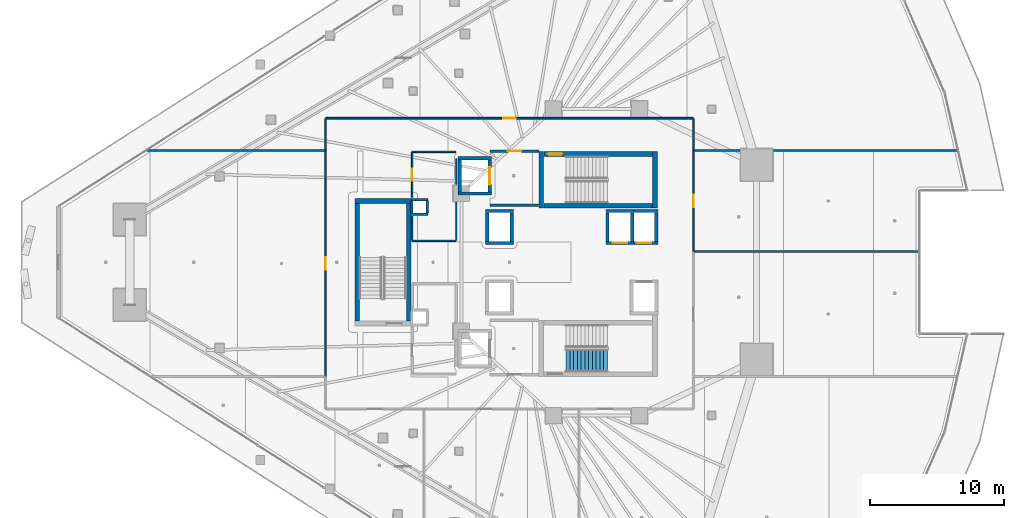
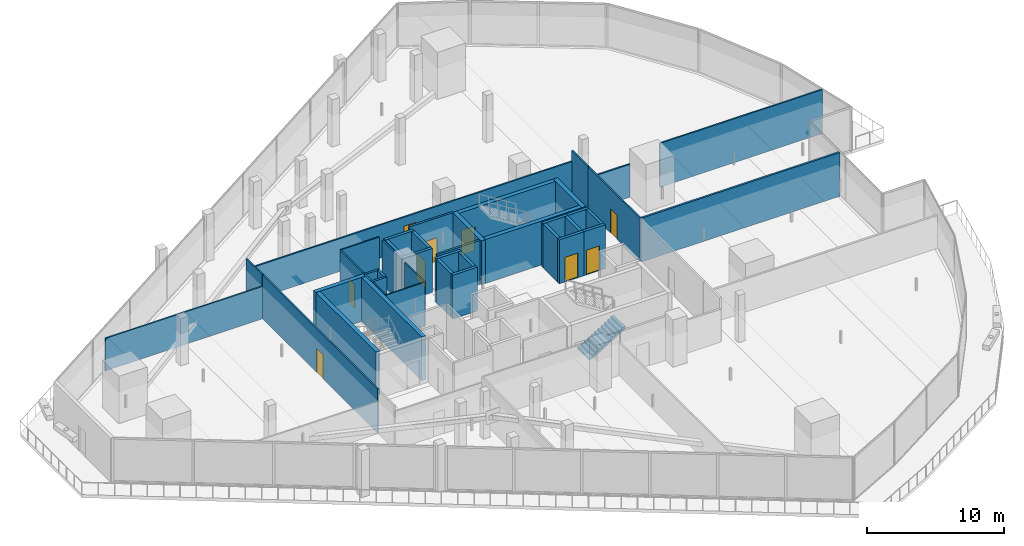
# One storey, part 31 of 45: 43 walls, 9 doors, 1 stair flight, 9 openings, 1 element without a shape of its own.
"""IFC4 building model written with IfcOpenShell, lengths in metres."""

from ifc_helpers import new_model, si_unit, direction, frame, frame_2d, origin, place, context, subcontext, project, spatial, polyline, rectangle, outline, extrude, material, layer, layer_set, type_object, element, fill, aggregate, save


model = new_model("IFC4")

# Units and contexts
model_context = context("Model", 3, precision=1e-05, world=origin(), true_north=direction((0.0, 1.0)))
body_context = subcontext(model_context, "Body", "Model", "MODEL_VIEW")
ifc_project = project(units=[si_unit("LENGTHUNIT", "METRE"), si_unit("AREAUNIT", "SQUARE_METRE"), si_unit("VOLUMEUNIT", "CUBIC_METRE"), si_unit("PLANEANGLEUNIT", "RADIAN"), si_unit("MASSUNIT", "GRAM", prefix="KILO")], contexts=[model_context])

# Site, building, storey
site_placement = place(None, origin())
site = spatial("IfcSite", under=ifc_project, at=site_placement, CompositionType="ELEMENT")
building_placement = place(site_placement, origin())
building = spatial("IfcBuilding", under=site, at=building_placement, Name="Qorvath Tower", CompositionType="ELEMENT")
storey_placement = place(building_placement, frame((0.0, 0.0, 49.199951171875)))
storey = spatial("IfcBuildingStorey", under=building, at=storey_placement, Name="L10", CompositionType="ELEMENT", Elevation=49.199951171875)

# Walls
ifc_material_1 = material(Name="Gypsum shaftliner on steel studs", Category="steel")
ifc_layer_1 = layer(ifc_material_1, 0.179931640625)
ifc_layer_set_1 = layer_set([ifc_layer_1], Name="FW-LOBBY")
wall_type_1 = type_object("IfcWallType", Name="FW-LOBBY", PredefinedType="PARTITIONING", material=ifc_layer_set_1)
for number, where, z_axis, x_axis, name in (
    (1, (-32.989990234375, 3.594970703125, 0.0), (0.0, 0.0, 1.0), (-1.0, 0.0, 0.0), "MEP Riser Shaft Enclosure Wall N-L10-S"),
    (2, (-34.260009765625, 4.675048828125, 0.0), (0.0, 0.0, 1.0), (1.0, 0.0, 0.0), "MEP Riser Shaft Enclosure Wall N-L10-N"),
):
    element("IfcWall", number, at=place(storey_placement, frame(where, z_axis=z_axis, x_axis=x_axis)), inside=storey, type_object=wall_type_1, Name=name, PredefinedType="PARTITIONING", context=body_context, shape_type="SweptSolid", body=[
        extrude(rectangle(XDim=1.27001953125, YDim=0.179931640625, at=frame_2d((0.635009765625, 0.0))), origin(), (0.0, 0.0, 1.0), 3.920166015625),
    ])
for number, where, z_axis, x_axis, name in (
    (3, (-34.205078125, 3.659912109375, 0.0), (0.0, 0.0, 1.0), (0.0, 1.0, 0.0), "MEP Riser Shaft Enclosure Wall N-L10-W"),
    (4, (-33.044921875, 4.610107421875, 0.0), (0.0, 0.0, 1.0), (0.0, -1.0, 0.0), "MEP Riser Shaft Enclosure Wall N-L10-E"),
):
    element("IfcWall", number, at=place(storey_placement, frame(where, z_axis=z_axis, x_axis=x_axis)), inside=storey, type_object=wall_type_1, Name=name, PredefinedType="PARTITIONING", context=body_context, shape_type="SweptSolid", body=[
        extrude(rectangle(XDim=0.9501953125, YDim=0.179931640625, at=frame_2d((0.47509765625, 0.0))), origin(), (0.0, 0.0, 1.0), 3.920166015625),
    ])
wall_1_placement = place(storey_placement, frame((-28.35498046875, 4.25, 0.0), z_axis=(0.0, 0.0, 1.0), x_axis=(1.0, 0.0, 0.0)))
element("IfcWall", 5, at=wall_1_placement, inside=storey, type_object=wall_type_1, Name="Interior Partition IW-T1-L10-001", PredefinedType="PARTITIONING", context=body_context, shape_type="SweptSolid", body=[
    extrude(rectangle(XDim=3.6220703125, YDim=0.179931640625, at=frame_2d((1.81103515625, 0.0))), origin(), (0.0, 0.0, 1.0), 3.920166015625),
])

# Wall, opening, door
wall_2_placement = place(storey_placement, frame((-24.68408203125, 8.300048828125, 0.0), z_axis=(0.0, 0.0, 1.0), x_axis=(-1.0, 0.0, 0.0)))
wall_2 = element("IfcWall", 6, at=wall_2_placement, inside=storey, type_object=wall_type_1, Name="Interior Partition IW-T1-L10-002", PredefinedType="PARTITIONING", context=body_context, shape_type="SweptSolid", body=[
    extrude(rectangle(XDim=3.6708984375, YDim=0.179931640625, at=frame_2d((1.83544921875, 0.0))), origin(), (0.0, 0.0, 1.0), 3.920166015625),
])
opening_1_placement = place(wall_2_placement, frame((1.33544921875, 0.0, 0.0)))
opening_1 = element("IfcOpeningElement", 7, at=opening_1_placement, cuts=wall_2, Name="Opening D-T1-L10-10", PredefinedType="OPENING", context=body_context, shape_type="SweptSolid", body=[
    extrude(rectangle(XDim=1.0, YDim=2.14990234375, at=frame_2d((0.5, 1.074951171875))), frame((0.0, 0.10009765625, 0.0), z_axis=(0.0, -1.0, 0.0), x_axis=(1.0, 0.0, 0.0)), (0.0, 0.0, 1.0), 0.199951171875),
])
ifc_material_2 = material(Name="Painted galvanised hollow metal", Category="steel")
door_type_1 = type_object("IfcDoorType", Name="FD-60", OperationType="NOTDEFINED", PredefinedType="DOOR", material=ifc_material_2)
door_1_placement = place(opening_1_placement, origin())
door_1 = element("IfcDoor", 8, at=door_1_placement, inside=storey, type_object=door_type_1, Name="Lobby Fire Service Elevator North Door D-T1-L10-10", OperationType="SINGLE_SWING_LEFT", OverallHeight=2.14990234375, OverallWidth=1.0, PredefinedType="DOOR", context=body_context, shape_type="SweptSolid", body=[
    extrude(rectangle(XDim=1.0, YDim=2.14990234375, at=frame_2d((0.5, 1.074951171875))), frame((0.0, 0.02490234375, 0.0), z_axis=(0.0, -1.0, 0.0), x_axis=(1.0, 0.0, 0.0)), (0.0, 0.0, 1.0), 0.050048828125),
])
fill(opening_1, door_1)

# Walls
ifc_material_3 = material(Name="Double acoustic gypsum board on steel studs", Category="steel")
ifc_layer_2 = layer(ifc_material_3, 0.159912109375)
ifc_layer_set_2 = layer_set([ifc_layer_2], Name="IW-ACOUSTIC-160")
wall_type_2 = type_object("IfcWallType", Name="IW-ACOUSTIC-160", PredefinedType="PARTITIONING", material=ifc_layer_set_2)
wall_3_placement = place(storey_placement, frame((3.6630859375, 0.791259765625, 0.0), z_axis=(0.0, 0.0, 1.0), x_axis=(-1.0, 0.0, 0.0)))
element("IfcWall", 9, at=wall_3_placement, inside=storey, type_object=wall_type_2, Name="Interior Partition IW-T1-L10-034", PredefinedType="PARTITIONING", context=body_context, shape_type="SweptSolid", body=[
    extrude(rectangle(XDim=16.7802734375, YDim=0.159912109375, at=frame_2d((8.39013671875, 0.0))), origin(), (0.0, 0.0, 1.0), 3.920166015625),
])
ifc_material_4 = material(Name="Gypsum board on metal studs with mineral wool", Category="gypsum")
ifc_layer_3 = layer(ifc_material_4, 0.125)
ifc_layer_set_3 = layer_set([ifc_layer_3], Name="IW-PART-125")
wall_type_3 = type_object("IfcWallType", Name="IW-PART-125", PredefinedType="PARTITIONING", material=ifc_layer_set_3)
wall_4_placement = place(storey_placement, frame((-53.989990234375, 8.35009765625, 0.0), z_axis=(0.0, 0.0, 1.0), x_axis=(1.0, 0.0, 0.0)))
element("IfcWall", 10, at=wall_4_placement, inside=storey, type_object=wall_type_3, Name="Interior Partition IW-T1-L10-017", PredefinedType="PARTITIONING", context=body_context, shape_type="SweptSolid", body=[
    extrude(rectangle(XDim=13.306884765625, YDim=0.125, at=frame_2d((6.6533203125, 0.0))), origin(), (0.0, 0.0, 1.0), 2.89013671875),
])
wall_5_placement = place(storey_placement, frame((-40.657958984375, 10.733154296875, 0.0), z_axis=(0.0, 0.0, 1.0), x_axis=(0.0, -1.0, 0.0)))
element("IfcWall", 11, at=wall_5_placement, inside=storey, type_object=wall_type_3, Name="Interior Partition IW-T1-L10-018", PredefinedType="PARTITIONING", context=body_context, shape_type="SweptSolid", body=[
    extrude(rectangle(XDim=2.358154296875, YDim=0.125, at=frame_2d((1.17919921875, 0.0))), origin(), (0.0, 0.0, 1.0), 3.920166015625),
])

# Wall, opening, door
wall_6_placement = place(storey_placement, frame((-40.633056640625, 10.758056640625, 0.0), z_axis=(0.0, 0.0, 1.0), x_axis=(1.0, 0.0, 0.0)))
wall_6 = element("IfcWall", 12, at=wall_6_placement, inside=storey, type_object=wall_type_3, Name="Interior Partition IW-T1-L10-019", PredefinedType="PARTITIONING", context=body_context, shape_type="SweptSolid", body=[
    extrude(rectangle(XDim=27.466064453125, YDim=0.125, at=frame_2d((13.73291015625, 0.0))), origin(), (0.0, 0.0, 1.0), 2.95703125),
])
opening_2_placement = place(wall_6_placement, frame((13.258056640625, 0.0, 0.0)))
opening_2 = element("IfcOpeningElement", 13, at=opening_2_placement, cuts=wall_6, Name="Opening D-T1-L10-03", PredefinedType="OPENING", context=body_context, shape_type="SweptSolid", body=[
    extrude(rectangle(XDim=0.949951171875, YDim=2.14990234375, at=frame_2d((0.47509765625, 1.074951171875))), frame((0.0, 0.072509765625, 0.0), z_axis=(0.0, -1.0, 0.0), x_axis=(1.0, 0.0, 0.0)), (0.0, 0.0, 1.0), 0.14501953125),
])
ifc_material_5 = material(Name="Solid-core American white oak veneer", Category="wood")
door_type_2 = type_object("IfcDoorType", Name="D-01", OperationType="NOTDEFINED", PredefinedType="DOOR", material=ifc_material_5)
door_2_placement = place(opening_2_placement, origin())
door_2 = element("IfcDoor", 14, at=door_2_placement, inside=storey, type_object=door_type_2, Name="L10-01 Open Workplace Studio Door D-T1-L10-03", OperationType="SINGLE_SWING_RIGHT", OverallHeight=2.14990234375, OverallWidth=0.949951171875, PredefinedType="DOOR", context=body_context, shape_type="SweptSolid", body=[
    extrude(rectangle(XDim=0.949951171875, YDim=2.14990234375, at=frame_2d((0.47509765625, 1.074951171875))), frame((0.0, 0.02490234375, 0.0), z_axis=(0.0, -1.0, 0.0), x_axis=(1.0, 0.0, 0.0)), (0.0, 0.0, 1.0), 0.050048828125),
])
fill(opening_2, door_2)

# Walls
wall_7_placement = place(storey_placement, frame((-13.14208984375, 8.375, 0.0), z_axis=(0.0, 0.0, 1.0), x_axis=(0.0, 1.0, 0.0)))
element("IfcWall", 15, at=wall_7_placement, inside=storey, type_object=wall_type_3, Name="Interior Partition IW-T1-L10-020", PredefinedType="PARTITIONING", context=body_context, shape_type="SweptSolid", body=[
    extrude(rectangle(XDim=2.358154296875, YDim=0.125, at=frame_2d((1.17919921875, 0.0))), origin(), (0.0, 0.0, 1.0), 3.920166015625),
])
wall_8_placement = place(storey_placement, frame((-13.1171875, 8.35009765625, 0.0), z_axis=(0.0, 0.0, 1.0), x_axis=(1.0, 0.0, 0.0)))
element("IfcWall", 16, at=wall_8_placement, inside=storey, type_object=wall_type_3, Name="Interior Partition IW-T1-L10-021", PredefinedType="PARTITIONING", context=body_context, shape_type="SweptSolid", body=[
    extrude(rectangle(XDim=3.421875, YDim=0.125, at=frame_2d((1.7109375, 0.0))), origin(), (0.0, 0.0, 1.0), 2.95703125),
])
wall_9_placement = place(storey_placement, frame((-7.165283203125, 8.35009765625, 0.0), z_axis=(0.0, 0.0, 1.0), x_axis=(1.0, 0.0, 0.0)))
element("IfcWall", 17, at=wall_9_placement, inside=storey, type_object=wall_type_3, Name="Interior Partition IW-T1-L10-022", PredefinedType="PARTITIONING", context=body_context, shape_type="SweptSolid", body=[
    extrude(rectangle(XDim=13.709716796875, YDim=0.125, at=frame_2d((6.85498046875, 0.0))), origin(), (0.0, 0.0, 1.0), 3.920166015625),
])

# Wall, opening, door
wall_10_placement = place(storey_placement, frame((-13.14208984375, 8.31689453125, 0.0), z_axis=(0.0, 0.0, 1.0), x_axis=(0.0, -1.0, 0.0)))
wall_10 = element("IfcWall", 18, at=wall_10_placement, inside=storey, type_object=wall_type_3, Name="Interior Partition IW-T1-L10-036", PredefinedType="PARTITIONING", context=body_context, shape_type="SweptSolid", body=[
    extrude(rectangle(XDim=7.49267578125, YDim=0.125, at=frame_2d((3.746337890625, 0.0))), origin(), (0.0, 0.0, 1.0), 3.920166015625),
])
opening_3_placement = place(wall_10_placement, frame((3.271240234375, 0.0, 0.0)))
opening_3 = element("IfcOpeningElement", 19, at=opening_3_placement, cuts=wall_10, Name="Opening D-T1-L10-08", PredefinedType="OPENING", context=body_context, shape_type="SweptSolid", body=[
    extrude(rectangle(XDim=0.949951171875, YDim=2.14990234375, at=frame_2d((0.47509765625, 1.074951171875))), frame((0.0, 0.072509765625, 0.0), z_axis=(0.0, -1.0, 0.0), x_axis=(1.0, 0.0, 0.0)), (0.0, 0.0, 1.0), 0.14501953125),
])
door_3_placement = place(opening_3_placement, origin())
door_3 = element("IfcDoor", 20, at=door_3_placement, inside=storey, type_object=door_type_2, Name="L10-06 Design Pin-Up Atelier Door D-T1-L10-08", OperationType="SINGLE_SWING_LEFT", OverallHeight=2.14990234375, OverallWidth=0.949951171875, PredefinedType="DOOR", context=body_context, shape_type="SweptSolid", body=[
    extrude(rectangle(XDim=0.949951171875, YDim=2.14990234375, at=frame_2d((0.47509765625, 1.074951171875))), frame((0.0, 0.02490234375, 0.0), z_axis=(0.0, -1.0, 0.0), x_axis=(1.0, 0.0, 0.0)), (0.0, 0.0, 1.0), 0.050048828125),
])
fill(opening_3, door_3)

wall_11_placement = place(storey_placement, frame((-40.657958984375, -8.51708984375, 0.0), z_axis=(0.0, 0.0, 1.0), x_axis=(0.0, 1.0, 0.0)))
wall_11 = element("IfcWall", 21, at=wall_11_placement, inside=storey, type_object=wall_type_3, Name="Interior Partition IW-T1-L10-037", PredefinedType="PARTITIONING", context=body_context, shape_type="SweptSolid", body=[
    extrude(rectangle(XDim=16.833984375, YDim=0.125, at=frame_2d((8.4169921875, 0.0))), origin(), (0.0, 0.0, 1.0), 3.920166015625),
])
opening_4_placement = place(wall_11_placement, frame((7.94189453125, 0.0, 0.0)))
opening_4 = element("IfcOpeningElement", 22, at=opening_4_placement, cuts=wall_11, Name="Opening D-T1-L10-09", PredefinedType="OPENING", context=body_context, shape_type="SweptSolid", body=[
    extrude(rectangle(XDim=0.949951171875, YDim=2.14990234375, at=frame_2d((0.47509765625, 1.074951171875))), frame((0.0, 0.072509765625, 0.0), z_axis=(0.0, -1.0, 0.0), x_axis=(1.0, 0.0, 0.0)), (0.0, 0.0, 1.0), 0.14501953125),
])
door_4_placement = place(opening_4_placement, origin())
door_4 = element("IfcDoor", 23, at=door_4_placement, inside=storey, type_object=door_type_2, Name="L10-07 Executive Partner Office Door D-T1-L10-09", OperationType="SINGLE_SWING_RIGHT", OverallHeight=2.14990234375, OverallWidth=0.949951171875, PredefinedType="DOOR", context=body_context, shape_type="SweptSolid", body=[
    extrude(rectangle(XDim=0.949951171875, YDim=2.14990234375, at=frame_2d((0.47509765625, 1.074951171875))), frame((0.0, 0.02490234375, 0.0), z_axis=(0.0, -1.0, 0.0), x_axis=(1.0, 0.0, 0.0)), (0.0, 0.0, 1.0), 0.050048828125),
])
fill(opening_4, door_4)

# Walls
ifc_material_6 = material(Name="Moisture-resistant cement board on metal studs", Category="gypsum")
ifc_layer_4 = layer(ifc_material_6, 0.110107421875)
ifc_layer_set_4 = layer_set([ifc_layer_4], Name="IW-WC-110")
wall_type_4 = type_object("IfcWallType", Name="IW-WC-110", PredefinedType="PARTITIONING", material=ifc_layer_set_4)
wall_12_placement = place(storey_placement, frame((-34.15478515625, 1.60009765625, 0.0), z_axis=(0.0, 0.0, 1.0), x_axis=(1.0, 0.0, 0.0)))
element("IfcWall", 24, at=wall_12_placement, inside=storey, type_object=wall_type_4, Name="Interior Partition IW-T1-L10-005", PredefinedType="PARTITIONING", context=body_context, shape_type="SweptSolid", body=[
    extrude(rectangle(XDim=3.25, YDim=0.110107421875, at=frame_2d((1.625, 0.0))), origin(), (0.0, 0.0, 1.0), 3.920166015625),
])
wall_13_placement = place(storey_placement, frame((-30.8798828125, 1.625, 0.0), z_axis=(0.0, 0.0, 1.0), x_axis=(0.0, 1.0, 0.0)))
element("IfcWall", 25, at=wall_13_placement, inside=storey, type_object=wall_type_4, Name="Interior Partition IW-T1-L10-006", PredefinedType="PARTITIONING", context=body_context, shape_type="SweptSolid", body=[
    extrude(rectangle(XDim=2.860107421875, YDim=0.110107421875, at=frame_2d((1.43017578125, 0.0))), origin(), (0.0, 0.0, 1.0), 3.920166015625),
])
wall_14_placement = place(storey_placement, frame((-30.8798828125, 5.81494140625, 0.0), z_axis=(0.0, 0.0, 1.0), x_axis=(0.0, 1.0, 0.0)))
element("IfcWall", 26, at=wall_14_placement, inside=storey, type_object=wall_type_4, Name="Interior Partition IW-T1-L10-007", PredefinedType="PARTITIONING", context=body_context, shape_type="SweptSolid", body=[
    extrude(rectangle(XDim=1.927978515625, YDim=0.110107421875, at=frame_2d((0.9638671875, 0.0))), origin(), (0.0, 0.0, 1.0), 3.920166015625),
])
wall_15_placement = place(storey_placement, frame((-30.90478515625, 8.25, 0.0), z_axis=(0.0, 0.0, 1.0), x_axis=(-1.0, 0.0, 0.0)))
element("IfcWall", 27, at=wall_15_placement, inside=storey, type_object=wall_type_4, Name="Interior Partition IW-T1-L10-008", PredefinedType="PARTITIONING", context=body_context, shape_type="SweptSolid", body=[
    extrude(rectangle(XDim=3.25, YDim=0.110107421875, at=frame_2d((1.625, 0.0))), origin(), (0.0, 0.0, 1.0), 3.920166015625),
])

# Wall, opening, door
wall_16_placement = place(storey_placement, frame((-34.179931640625, 8.22509765625, 0.0), z_axis=(0.0, 0.0, 1.0), x_axis=(0.0, -1.0, 0.0)))
wall_16 = element("IfcWall", 28, at=wall_16_placement, inside=storey, type_object=wall_type_4, Name="Interior Partition IW-T1-L10-009", PredefinedType="PARTITIONING", context=body_context, shape_type="SweptSolid", body=[
    extrude(rectangle(XDim=3.385009765625, YDim=0.110107421875, at=frame_2d((1.6923828125, 0.0))), origin(), (0.0, 0.0, 1.0), 3.920166015625),
])
opening_5_placement = place(wall_16_placement, frame((1.25244140625, 0.0, 0.0)))
opening_5 = element("IfcOpeningElement", 29, at=opening_5_placement, cuts=wall_16, Name="Opening D-T1-L10-01", PredefinedType="OPENING", context=body_context, shape_type="SweptSolid", body=[
    extrude(rectangle(XDim=0.8798828125, YDim=2.10009765625, at=frame_2d((0.43994140625, 1.050048828125))), frame((0.0, 0.06494140625, 0.0), z_axis=(0.0, -1.0, 0.0), x_axis=(1.0, 0.0, 0.0)), (0.0, 0.0, 1.0), 0.130126953125),
])
ifc_material_7 = material(Name="Solid-core oak with acoustic drop seal", Category="wood")
door_type_3 = type_object("IfcDoorType", Name="D-02", OperationType="NOTDEFINED", PredefinedType="DOOR", material=ifc_material_7)
door_5_placement = place(opening_5_placement, origin())
door_5 = element("IfcDoor", 30, at=door_5_placement, inside=storey, type_object=door_type_3, Name="Accessible WC North L10 Door D-T1-L10-01", OperationType="SINGLE_SWING_RIGHT", OverallHeight=2.10009765625, OverallWidth=0.8798828125, PredefinedType="DOOR", context=body_context, shape_type="SweptSolid", body=[
    extrude(rectangle(XDim=0.8798828125, YDim=2.10009765625, at=frame_2d((0.43994140625, 1.050048828125))), frame((0.0, 0.02490234375, 0.0), z_axis=(0.0, -1.0, 0.0), x_axis=(1.0, 0.0, 0.0)), (0.0, 0.0, 1.0), 0.050048828125),
])
fill(opening_5, door_5)

# Walls
wall_17_placement = place(storey_placement, frame((-34.179931640625, 3.429931640625, 0.0), z_axis=(0.0, 0.0, 1.0), x_axis=(0.0, -1.0, 0.0)))
element("IfcWall", 31, at=wall_17_placement, inside=storey, type_object=wall_type_4, Name="Interior Partition IW-T1-L10-010", PredefinedType="PARTITIONING", context=body_context, shape_type="SweptSolid", body=[
    extrude(rectangle(XDim=1.804931640625, YDim=0.110107421875, at=frame_2d((0.90234375, 0.0))), origin(), (0.0, 0.0, 1.0), 3.920166015625),
])
ifc_material_8 = material(Name="Concrete C60/75", Category="concrete")
ifc_layer_5 = layer(ifc_material_8, 0.260009765625)
ifc_layer_set_5 = layer_set([ifc_layer_5], Name="SW-SHAFT")
wall_type_5 = type_object("IfcWallType", Name="SW-SHAFT", PredefinedType="SHEAR", material=ifc_layer_set_5)
for number, where, z_axis, x_axis, name in (
    (32, (-28.260009765625, 5.1298828125, 0.0), (0.0, 0.0, 1.0), (-1.0, 0.0, 0.0), "Hoistway Wall FSAE-1 L10 S"),
    (33, (-30.739990234375, 7.77001953125, 0.0), (0.0, 0.0, 1.0), (1.0, 0.0, 0.0), "Hoistway Wall FSAE-1 L10 N"),
):
    element("IfcWall", number, at=place(storey_placement, frame(where, z_axis=z_axis, x_axis=x_axis)), inside=storey, type_object=wall_type_5, Name=name, PredefinedType="SHEAR", context=body_context, shape_type="SweptSolid", body=[
        extrude(rectangle(XDim=2.47998046875, YDim=0.239990234375, at=frame_2d((1.239990234375, 0.0))), origin(), (0.0, 0.0, 1.0), 3.920166015625),
    ])
wall_18_placement = place(storey_placement, frame((-30.6201171875, 5.261962890625, 0.0), z_axis=(0.0, 0.0, 1.0), x_axis=(0.0, 1.0, 0.0)))
element("IfcWall", 34, at=wall_18_placement, inside=storey, type_object=wall_type_5, Name="Hoistway Wall FSAE-1 L10 W", PredefinedType="SHEAR", context=body_context, shape_type="SweptSolid", body=[
    extrude(rectangle(XDim=2.3759765625, YDim=0.239990234375, at=frame_2d((1.18798828125, 0.0))), origin(), (0.0, 0.0, 1.0), 3.920166015625),
])

# Wall, opening, door
wall_19_placement = place(storey_placement, frame((-28.3798828125, 7.637939453125, 0.0), z_axis=(0.0, 0.0, 1.0), x_axis=(0.0, -1.0, 0.0)))
wall_19 = element("IfcWall", 35, at=wall_19_placement, inside=storey, type_object=wall_type_5, Name="Hoistway Wall FSAE-1 L10 E", PredefinedType="SHEAR", context=body_context, shape_type="SweptSolid", body=[
    extrude(rectangle(XDim=2.3759765625, YDim=0.239990234375, at=frame_2d((1.18798828125, 0.0))), origin(), (0.0, 0.0, 1.0), 3.920166015625),
])
opening_6_placement = place(wall_19_placement, frame((0.537841796875, 0.0, 0.0)))
opening_6 = element("IfcOpeningElement", 36, at=opening_6_placement, cuts=wall_19, Name="Opening LD-FSAE-1-L10", PredefinedType="OPENING", context=body_context, shape_type="SweptSolid", body=[
    extrude(rectangle(XDim=1.300048828125, YDim=2.300048828125, at=frame_2d((0.64990234375, 1.14990234375))), frame((0.0, 0.1298828125, 0.0), z_axis=(0.0, -1.0, 0.0), x_axis=(1.0, 0.0, 0.0)), (0.0, 0.0, 1.0), 0.260009765625),
])
ifc_material_9 = material(Name="Brushed stainless steel AISI 316", Category="steel")
door_type_4 = type_object("IfcDoorType", Name="LD-02", OperationType="NOTDEFINED", PredefinedType="DOOR", material=ifc_material_9)
door_6_placement = place(opening_6_placement, origin())
door_6 = element("IfcDoor", 37, at=door_6_placement, inside=storey, type_object=door_type_4, Name="Elevator Landing Sliding Door LD-FSAE-1-L10", OperationType="DOUBLE_DOOR_SLIDING", OverallHeight=2.300048828125, OverallWidth=1.300048828125, PredefinedType="DOOR", context=body_context, shape_type="SweptSolid", body=[
    extrude(rectangle(XDim=1.300048828125, YDim=2.300048828125, at=frame_2d((0.64990234375, 1.14990234375))), frame((0.0, 0.02490234375, 0.0), z_axis=(0.0, -1.0, 0.0), x_axis=(1.0, 0.0, 0.0)), (0.0, 0.0, 1.0), 0.050048828125),
])
fill(opening_6, door_6)

# Walls
for number, where, z_axis, x_axis, name in (
    (38, (-26.610107421875, 1.429931640625, 0.0), (0.0, 0.0, 1.0), (-1.0, 0.0, 0.0), "Hoistway Wall PS-1 L10 S"),
    (39, (-28.68994140625, 3.820068359375, 0.0), (0.0, 0.0, 1.0), (1.0, 0.0, 0.0), "Hoistway Wall PS-1 L10 N"),
):
    element("IfcWall", number, at=place(storey_placement, frame(where, z_axis=z_axis, x_axis=x_axis)), inside=storey, type_object=wall_type_5, Name=name, PredefinedType="SHEAR", context=body_context, shape_type="SweptSolid", body=[
        extrude(rectangle(XDim=2.079833984375, YDim=0.239990234375, at=frame_2d((1.0400390625, 0.0))), origin(), (0.0, 0.0, 1.0), 3.920166015625),
    ])
for number, where, z_axis, x_axis, name in (
    (40, (-28.570068359375, 1.56201171875, 0.0), (0.0, 0.0, 1.0), (0.0, 1.0, 0.0), "Hoistway Wall PS-1 L10 W"),
    (41, (-26.72998046875, 3.68798828125, 0.0), (0.0, 0.0, 1.0), (0.0, -1.0, 0.0), "Hoistway Wall PS-1 L10 E"),
):
    element("IfcWall", number, at=place(storey_placement, frame(where, z_axis=z_axis, x_axis=x_axis)), inside=storey, type_object=wall_type_5, Name=name, PredefinedType="SHEAR", context=body_context, shape_type="SweptSolid", body=[
        extrude(rectangle(XDim=2.1259765625, YDim=0.239990234375, at=frame_2d((1.06298828125, 0.0))), origin(), (0.0, 0.0, 1.0), 3.920166015625),
    ])

# Wall, opening, door
wall_20_placement = place(storey_placement, frame((-17.610107421875, 1.429931640625, 0.0), z_axis=(0.0, 0.0, 1.0), x_axis=(-1.0, 0.0, 0.0)))
wall_20 = element("IfcWall", 42, at=wall_20_placement, inside=storey, type_object=wall_type_5, Name="Hoistway Wall PL-1 L10 S", PredefinedType="SHEAR", context=body_context, shape_type="SweptSolid", body=[
    extrude(rectangle(XDim=2.079833984375, YDim=0.239990234375, at=frame_2d((1.0400390625, 0.0))), origin(), (0.0, 0.0, 1.0), 3.920166015625),
])
opening_7_placement = place(wall_20_placement, frame((0.48974609375, 0.0, 0.0)))
opening_7 = element("IfcOpeningElement", 43, at=opening_7_placement, cuts=wall_20, Name="Opening LD-PL-1-L10", PredefinedType="OPENING", context=body_context, shape_type="SweptSolid", body=[
    extrude(rectangle(XDim=1.10009765625, YDim=2.199951171875, at=frame_2d((0.550048828125, 1.10009765625))), frame((0.0, 0.1298828125, 0.0), z_axis=(0.0, -1.0, 0.0), x_axis=(1.0, 0.0, 0.0)), (0.0, 0.0, 1.0), 0.260009765625),
])
ifc_material_10 = material(Name="Brushed stainless steel AISI 316", Category="steel")
door_type_5 = type_object("IfcDoorType", Name="LD-01", OperationType="NOTDEFINED", PredefinedType="DOOR", material=ifc_material_10)
door_7_placement = place(opening_7_placement, origin())
door_7 = element("IfcDoor", 44, at=door_7_placement, inside=storey, type_object=door_type_5, Name="Elevator Landing Sliding Door LD-PL-1-L10", OperationType="DOUBLE_DOOR_SLIDING", OverallHeight=2.199951171875, OverallWidth=1.10009765625, PredefinedType="DOOR", context=body_context, shape_type="SweptSolid", body=[
    extrude(rectangle(XDim=1.10009765625, YDim=2.199951171875, at=frame_2d((0.550048828125, 1.10009765625))), frame((0.0, 0.02490234375, 0.0), z_axis=(0.0, -1.0, 0.0), x_axis=(1.0, 0.0, 0.0)), (0.0, 0.0, 1.0), 0.050048828125),
])
fill(opening_7, door_7)

# Walls
wall_21_placement = place(storey_placement, frame((-19.68994140625, 3.820068359375, 0.0), z_axis=(0.0, 0.0, 1.0), x_axis=(1.0, 0.0, 0.0)))
element("IfcWall", 45, at=wall_21_placement, inside=storey, type_object=wall_type_5, Name="Hoistway Wall PL-1 L10 N", PredefinedType="SHEAR", context=body_context, shape_type="SweptSolid", body=[
    extrude(rectangle(XDim=2.079833984375, YDim=0.239990234375, at=frame_2d((1.0400390625, 0.0))), origin(), (0.0, 0.0, 1.0), 3.920166015625),
])
for number, where, z_axis, x_axis, name in (
    (46, (-19.570068359375, 1.56201171875, 0.0), (0.0, 0.0, 1.0), (0.0, 1.0, 0.0), "Hoistway Wall PL-1 L10 W"),
    (47, (-17.72998046875, 3.68798828125, 0.0), (0.0, 0.0, 1.0), (0.0, -1.0, 0.0), "Hoistway Wall PL-1 L10 E"),
):
    element("IfcWall", number, at=place(storey_placement, frame(where, z_axis=z_axis, x_axis=x_axis)), inside=storey, type_object=wall_type_5, Name=name, PredefinedType="SHEAR", context=body_context, shape_type="SweptSolid", body=[
        extrude(rectangle(XDim=2.1259765625, YDim=0.239990234375, at=frame_2d((1.06298828125, 0.0))), origin(), (0.0, 0.0, 1.0), 3.920166015625),
    ])

# Wall, opening, door
wall_22_placement = place(storey_placement, frame((-15.81005859375, 1.429931640625, 0.0), z_axis=(0.0, 0.0, 1.0), x_axis=(-1.0, 0.0, 0.0)))
wall_22 = element("IfcWall", 48, at=wall_22_placement, inside=storey, type_object=wall_type_5, Name="Hoistway Wall PL-3 L10 S", PredefinedType="SHEAR", context=body_context, shape_type="SweptSolid", body=[
    extrude(rectangle(XDim=1.800048828125, YDim=0.239990234375, at=frame_2d((0.89990234375, 0.0))), origin(), (0.0, 0.0, 1.0), 3.920166015625),
])
opening_8_placement = place(wall_22_placement, frame((0.489990234375, 0.0, 0.0)))
opening_8 = element("IfcOpeningElement", 49, at=opening_8_placement, cuts=wall_22, Name="Opening LD-PL-3-L10", PredefinedType="OPENING", context=body_context, shape_type="SweptSolid", body=[
    extrude(rectangle(XDim=1.10009765625, YDim=2.199951171875, at=frame_2d((0.550048828125, 1.10009765625))), frame((0.0, 0.1298828125, 0.0), z_axis=(0.0, -1.0, 0.0), x_axis=(1.0, 0.0, 0.0)), (0.0, 0.0, 1.0), 0.260009765625),
])
door_8_placement = place(opening_8_placement, origin())
door_8 = element("IfcDoor", 50, at=door_8_placement, inside=storey, type_object=door_type_5, Name="Elevator Landing Sliding Door LD-PL-3-L10", OperationType="DOUBLE_DOOR_SLIDING", OverallHeight=2.199951171875, OverallWidth=1.10009765625, PredefinedType="DOOR", context=body_context, shape_type="SweptSolid", body=[
    extrude(rectangle(XDim=1.10009765625, YDim=2.199951171875, at=frame_2d((0.550048828125, 1.10009765625))), frame((0.0, 0.02490234375, 0.0), z_axis=(0.0, -1.0, 0.0), x_axis=(1.0, 0.0, 0.0)), (0.0, 0.0, 1.0), 0.050048828125),
])
fill(opening_8, door_8)

# Walls
wall_23_placement = place(storey_placement, frame((-17.610107421875, 3.820068359375, 0.0), z_axis=(0.0, 0.0, 1.0), x_axis=(1.0, 0.0, 0.0)))
element("IfcWall", 51, at=wall_23_placement, inside=storey, type_object=wall_type_5, Name="Hoistway Wall PL-3 L10 N", PredefinedType="SHEAR", context=body_context, shape_type="SweptSolid", body=[
    extrude(rectangle(XDim=1.800048828125, YDim=0.239990234375, at=frame_2d((0.89990234375, 0.0))), origin(), (0.0, 0.0, 1.0), 3.920166015625),
])
wall_24_placement = place(storey_placement, frame((-15.929931640625, 3.68798828125, 0.0), z_axis=(0.0, 0.0, 1.0), x_axis=(0.0, -1.0, 0.0)))
element("IfcWall", 52, at=wall_24_placement, inside=storey, type_object=wall_type_5, Name="Hoistway Wall PL-3 L10 E", PredefinedType="SHEAR", context=body_context, shape_type="SweptSolid", body=[
    extrude(rectangle(XDim=2.1259765625, YDim=0.239990234375, at=frame_2d((1.06298828125, 0.0))), origin(), (0.0, 0.0, 1.0), 3.920166015625),
])
ifc_material_11 = material(Name="Concrete C60/75", Category="concrete")
ifc_layer_6 = layer(ifc_material_11, 0.35009765625)
ifc_layer_set_6 = layer_set([ifc_layer_6], Name="SW-STAIR")
wall_type_6 = type_object("IfcWallType", Name="SW-STAIR", PredefinedType="SHEAR", material=ifc_layer_set_6)
for number, where, z_axis, x_axis, name in (
    (53, (-24.52490234375, 8.260009765625, 0.0), (0.0, 0.0, 1.0), (0.0, -1.0, 0.0), "Stair TS1 Shear Wall L10 NEAR"),
    (54, (-16.02490234375, 4.050048828125, 0.0), (0.0, 0.0, 1.0), (0.0, 1.0, 0.0), "Stair TS1 Shear Wall L10 FAR"),
):
    element("IfcWall", number, at=place(storey_placement, frame(where, z_axis=z_axis, x_axis=x_axis)), inside=storey, type_object=wall_type_6, Name=name, PredefinedType="SHEAR", context=body_context, shape_type="SweptSolid", body=[
        extrude(rectangle(XDim=4.2099609375, YDim=0.35009765625, at=frame_2d((2.10498046875, 0.0))), origin(), (0.0, 0.0, 1.0), 3.920166015625),
    ])
wall_25_placement = place(storey_placement, frame((-24.3349609375, 4.22509765625, 0.0), z_axis=(0.0, 0.0, 1.0), x_axis=(1.0, 0.0, 0.0)))
element("IfcWall", 55, at=wall_25_placement, inside=storey, type_object=wall_type_6, Name="Stair TS1 Shear Wall L10 LEFT", PredefinedType="SHEAR", context=body_context, shape_type="SweptSolid", body=[
    extrude(rectangle(XDim=8.119873046875, YDim=0.35009765625, at=frame_2d((4.06005859375, 0.0))), origin(), (0.0, 0.0, 1.0), 3.920166015625),
])

# Wall, opening, door
wall_26_placement = place(storey_placement, frame((-16.215087890625, 8.0849609375, 0.0), z_axis=(0.0, 0.0, 1.0), x_axis=(-1.0, 0.0, 0.0)))
wall_26 = element("IfcWall", 56, at=wall_26_placement, inside=storey, type_object=wall_type_6, Name="Stair TS1 Shear Wall L10 RIGHT", PredefinedType="SHEAR", context=body_context, shape_type="SweptSolid", body=[
    extrude(rectangle(XDim=8.119873046875, YDim=0.35009765625, at=frame_2d((4.06005859375, 0.0))), origin(), (0.0, 0.0, 1.0), 3.920166015625),
])
opening_9_placement = place(wall_26_placement, frame((6.739990234375, 0.0, 0.0)))
opening_9 = element("IfcOpeningElement", 57, at=opening_9_placement, cuts=wall_26, Name="Opening D-TS1-L10", PredefinedType="OPENING", context=body_context, shape_type="SweptSolid", body=[
    extrude(rectangle(XDim=1.10009765625, YDim=2.199951171875, at=frame_2d((0.550048828125, 1.10009765625))), frame((0.0, 0.18505859375, 0.0), z_axis=(0.0, -1.0, 0.0), x_axis=(1.0, 0.0, 0.0)), (0.0, 0.0, 1.0), 0.3701171875),
])
ifc_material_12 = material(Name="Painted galvanised hollow metal", Category="steel")
door_type_6 = type_object("IfcDoorType", Name="FD-90", OperationType="NOTDEFINED", PredefinedType="DOOR", material=ifc_material_12)
door_9_placement = place(opening_9_placement, origin())
door_9 = element("IfcDoor", 58, at=door_9_placement, inside=storey, type_object=door_type_6, Name="Stair TS1 Fire Door L10", OperationType="SINGLE_SWING_LEFT", OverallHeight=2.199951171875, OverallWidth=1.10009765625, PredefinedType="DOOR", context=body_context, shape_type="SweptSolid", body=[
    extrude(rectangle(XDim=1.10009765625, YDim=2.199951171875, at=frame_2d((0.550048828125, 1.10009765625))), frame((0.0, 0.02490234375, 0.0), z_axis=(0.0, -1.0, 0.0), x_axis=(1.0, 0.0, 0.0)), (0.0, 0.0, 1.0), 0.050048828125),
])
fill(opening_9, door_9)

# Walls
wall_27_placement = place(storey_placement, frame((-34.25, 4.574951171875, 0.0), z_axis=(0.0, 0.0, 1.0), x_axis=(-1.0, 0.0, 0.0)))
element("IfcWall", 59, at=wall_27_placement, inside=storey, type_object=wall_type_6, Name="Stair TS3 Shear Wall L10 FAR", PredefinedType="SHEAR", context=body_context, shape_type="SweptSolid", body=[
    extrude(rectangle(XDim=4.2099609375, YDim=0.35009765625, at=frame_2d((2.10498046875, 0.0))), origin(), (0.0, 0.0, 1.0), 3.920166015625),
])
for number, where, z_axis, x_axis, name in (
    (60, (-34.425048828125, -4.385009765625, 0.0), (0.0, 0.0, 1.0), (0.0, 1.0, 0.0), "Stair TS3 Shear Wall L10 LEFT"),
    (61, (-38.284912109375, 4.385009765625, 0.0), (0.0, 0.0, 1.0), (0.0, -1.0, 0.0), "Stair TS3 Shear Wall L10 RIGHT"),
):
    element("IfcWall", number, at=place(storey_placement, frame(where, z_axis=z_axis, x_axis=x_axis)), inside=storey, type_object=wall_type_6, Name=name, PredefinedType="SHEAR", context=body_context, shape_type="SweptSolid", body=[
        extrude(rectangle(XDim=8.77001953125, YDim=0.35009765625, at=frame_2d((4.385009765625, 0.0))), origin(), (0.0, 0.0, 1.0), 3.920166015625),
    ])

# Stair, stair flight
ifc_material_13 = material(Name="Concrete C50/60", Category="concrete")
stair_type = type_object("IfcStairType", Name="ST-H420", PredefinedType="HALF_TURN_STAIR", material=ifc_material_13)
stair_placement = place(storey_placement, origin())
stair = element("IfcStair", 62, at=stair_placement, inside=storey, type_object=stair_type, Name="L10 Tower Exit Stair 2", PredefinedType="HALF_TURN_STAIR")
ifc_material_14 = material(Name="Concrete C50/60", Category="concrete")
ifc_layer_7 = layer(ifc_material_14, 0.14990234375)
ifc_layer_set_7 = layer_set([ifc_layer_7], Name="SF-H420")
stair_flight_type = type_object("IfcStairFlightType", Name="SF-H420", PredefinedType="STRAIGHT", material=ifc_layer_set_7)
stair_flight_placement = place(storey_placement, frame((-22.669921875, -7.360107421875, 0.0), z_axis=(0.0, 0.0, 1.0), x_axis=(1.0, 0.0, 0.0)))
stair_flight = element("IfcStairFlight", 63, at=stair_flight_placement, type_object=stair_flight_type, Name="TS2 flight 1", NumberOfRisers=12, NumberOfTreads=11, PredefinedType="STRAIGHT", RiserHeight=0.175, TreadLength=0.28, context=body_context, shape_type="SweptSolid", body=[
    extrude(outline(polyline([(0.0, 0.0), (0.0, 0.175048828125), (0.280029296875, 0.175048828125), (0.280029296875, 0.35009765625), (0.56005859375, 0.35009765625), (0.56005859375, 0.52490234375), (0.840087890625, 0.52490234375), (0.840087890625, 0.699951171875), (1.1201171875, 0.699951171875), (1.1201171875, 0.875), (1.39990234375, 0.875), (1.39990234375, 1.050048828125), (1.679931640625, 1.050048828125), (1.679931640625, 1.22509765625), (1.9599609375, 1.22509765625), (1.9599609375, 1.39990234375), (2.239990234375, 1.39990234375), (2.239990234375, 1.574951171875), (2.52001953125, 1.574951171875), (2.52001953125, 1.75), (2.800048828125, 1.75), (2.800048828125, 1.925048828125), (3.080078125, 1.925048828125), (3.080078125, 2.10009765625), (3.080078125, 1.748291015625), (0.28271484375, 0.0), (0.0, 0.0)])), frame((0.0, 0.83984375, 0.0), z_axis=(0.0, -1.0, 0.0), x_axis=(1.0, 0.0, 0.0)), (0.0, 0.0, 1.0), 1.679931640625),
])
aggregate(stair, [stair_flight])

save(model, "model.ifc")
